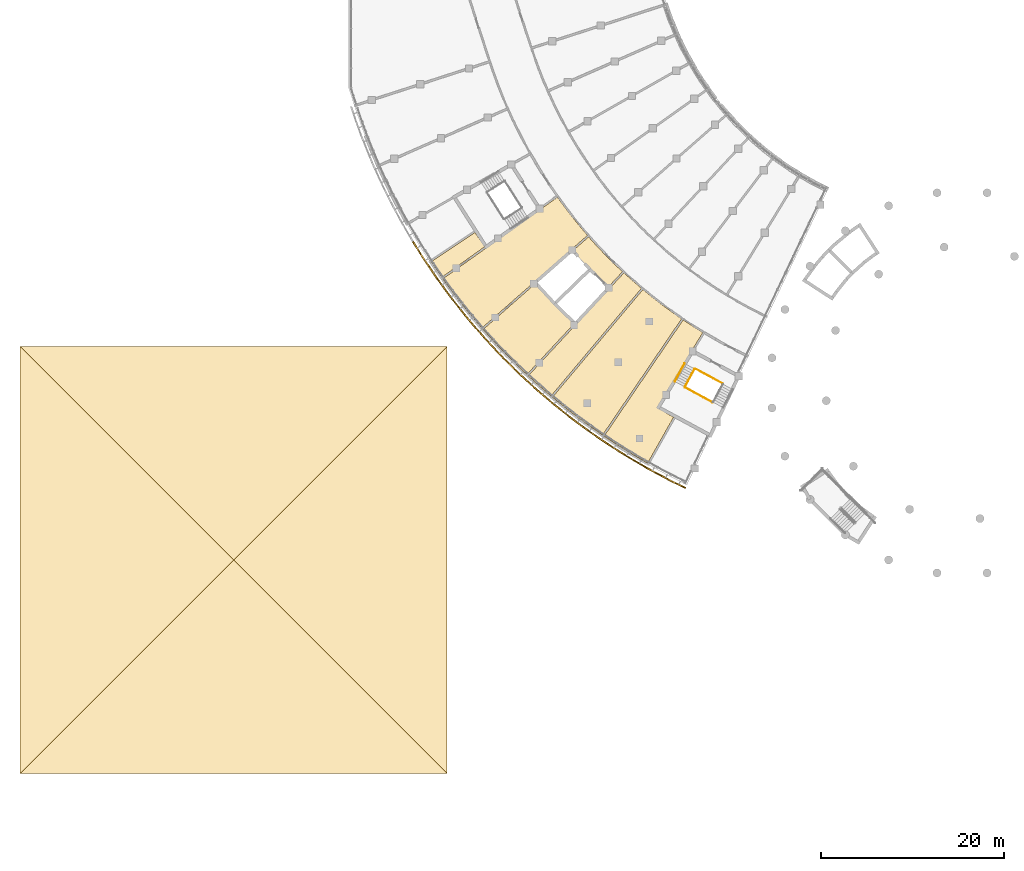
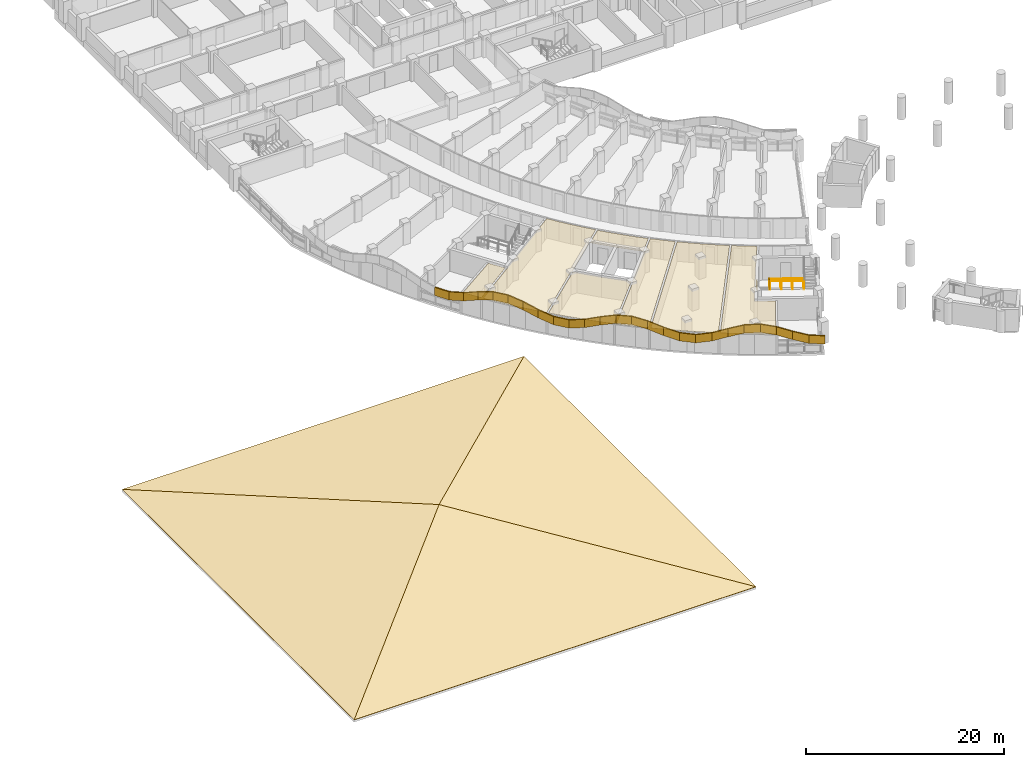
# One storey, part 77 of 89: 36 coverings, 4 railings.
"""IFC4 building model written with IfcOpenShell, lengths in metres."""

from ifc_helpers import new_model, si_unit, direction, frame, origin, origin_2d, place, context, subcontext, project, spatial, polyline, circle, outline, extrude, material, layer, layer_set, type_object, element, save


model = new_model("IFC4")

# Units and contexts
model_context = context("Model", 3, precision=1e-05, world=origin(), true_north=direction((0.0, 1.0)))
body_context = subcontext(model_context, "Body", "Model", "MODEL_VIEW")
ifc_project = project(units=[si_unit("LENGTHUNIT", "METRE"), si_unit("AREAUNIT", "SQUARE_METRE"), si_unit("VOLUMEUNIT", "CUBIC_METRE"), si_unit("PLANEANGLEUNIT", "RADIAN"), si_unit("MASSUNIT", "GRAM", prefix="KILO")], contexts=[model_context])

# Site, building, storey
site_placement = place(None, origin())
site = spatial("IfcSite", under=ifc_project, at=site_placement, CompositionType="ELEMENT")
building_placement = place(site_placement, origin())
building = spatial("IfcBuilding", under=site, at=building_placement, Name="Bougainvillea Quay General Hospital", CompositionType="ELEMENT")
storey_placement = place(building_placement, frame((0.0, 0.0, 9.89990234375)))
storey = spatial("IfcBuildingStorey", under=building, at=storey_placement, Name="L01M", CompositionType="ELEMENT", Elevation=9.89990234375)

# Coverings
ifc_material_1 = material(Name="Powder-coated aluminium fascia, green", Category="aluminium")
ifc_layer_1 = layer(ifc_material_1, 0.14990234375)
ifc_layer_set_1 = layer_set([ifc_layer_1], Name="Powder-coated aluminium fascia, green")
covering_type_1 = type_object("IfcCoveringType", Name="Aluminium wave fascia ribbon green 150x1000", PredefinedType="CLADDING", material=ifc_layer_set_1)
covering_1_placement = place(storey_placement, frame((49.122314453125, 89.492919921875, 1.472900390625), z_axis=(0.00815547749, -0.01307385776, 0.999881274167), x_axis=(0.529114591559, -0.848410461647, -0.015409009286)))
element("IfcCovering", 1, at=covering_1_placement, inside=storey, type_object=covering_type_1, Name="Fascia ribbon green a01 11", PredefinedType="CLADDING", context=body_context, shape_type="SweptSolid", body=[
    extrude(outline(polyline([(0.0, 0.0), (1.6301743762609855, 2.5740357179168845e-16), (1.6319496738609345, -0.14986279714054315), (-0.0017437068610463846, -0.14996972102507355), (0.0, 0.0)])), origin(), (-0.015409009286, -1.623513e-06, 0.999881274167), 1.0),
])
covering_2_placement = place(storey_placement, frame((49.98486328125, 88.10986328125, 1.44775390625), z_axis=(-0.132547565526, 0.201967878035, 0.970381429704), x_axis=(0.532488553234, -0.81123120018, 0.241577897435)))
element("IfcCovering", 2, at=covering_2_placement, inside=storey, type_object=covering_type_1, Name="Fascia ribbon green a01 12", PredefinedType="CLADDING", context=body_context, shape_type="SweptSolid", body=[
    extrude(outline(polyline([(0.0, 0.0), (1.6799498686252692, -9.514551689918105e-17), (1.6816404734615915, -0.15004254984975574), (-0.0017140216455301157, -0.14986361287609), (0.0, 0.0)])), origin(), (0.241577897435, -1.8862512e-05, 0.970381429704), 1.0),
])
covering_3_placement = place(storey_placement, frame((50.87939453125, 86.7470703125, 1.854248046875), z_axis=(-0.197767098158, 0.285800062004, 0.937660119363), x_axis=(0.532498114492, -0.771785239678, 0.347553307965)))
element("IfcCovering", 3, at=covering_3_placement, inside=storey, type_object=covering_type_1, Name="Fascia ribbon green a01 13", PredefinedType="CLADDING", context=body_context, shape_type="SweptSolid", body=[
    extrude(outline(polyline([(0.0, 0.0), (1.7385642003511037, 1.2576745200831851e-16), (1.740173826324506, -0.14995890126413705), (-0.0019273342541905644, -0.1500413835001085), (0.0, 0.0)])), origin(), (0.347553307965, 0.000445733114, 0.937660119363), 1.0),
])
covering_4_placement = place(storey_placement, frame((51.80517578125, 85.4052734375, 2.458984375), z_axis=(-0.157947257259, 0.218274334684, 0.963020757171), x_axis=(0.565134320629, -0.77976420508, 0.26942714066)))
element("IfcCovering", 4, at=covering_4_placement, inside=storey, type_object=covering_type_1, Name="Fascia ribbon green a01 14", PredefinedType="CLADDING", context=body_context, shape_type="SweptSolid", body=[
    extrude(outline(polyline([(0.0, 0.0), (1.692600454012714, 1.1237755517812253e-16), (1.6943878888932409, -0.14989426962991026), (-0.002001893222317903, -0.1499541759270714), (0.0, 0.0)])), origin(), (0.26942714066, -0.000192700341, 0.963020757171), 1.0),
])
covering_5_placement = place(storey_placement, frame((52.76171875, 84.08544921875, 2.915283203125), z_axis=(-0.017114412101, 0.022497170746, 0.999600407266), x_axis=(0.605327282001, -0.795474610462, 0.028267044002)))
element("IfcCovering", 5, at=covering_5_placement, inside=storey, type_object=covering_type_1, Name="Fascia ribbon green a01 15", PredefinedType="CLADDING", context=body_context, shape_type="SweptSolid", body=[
    extrude(outline(polyline([(0.0, 0.0), (1.6306243354071506, 7.36914428946505e-17), (1.6323591183623014, -0.15011342609025094), (-0.001777988915343448, -0.14989358022290222), (0.0, 0.0)])), origin(), (0.028267044002, -4.070921e-06, 0.999600407266), 1.0),
])
covering_6_placement = place(storey_placement, frame((53.748779296875, 82.788330078125, 2.961181640625), z_axis=(0.145129059894, -0.181837062005, 0.972559941009), x_axis=(0.606647051964, -0.760165898555, -0.232652446834)))
element("IfcCovering", 6, at=covering_6_placement, inside=storey, type_object=covering_type_1, Name="Fascia ribbon green a01 16", PredefinedType="CLADDING", context=body_context, shape_type="SweptSolid", body=[
    extrude(outline(polyline([(0.0, 0.0), (1.6761564339797765, -2.794564980899278e-16), (1.677964501044428, -0.1500712520067623), (-0.0017935584575933345, -0.1501135207705786), (0.0, 0.0)])), origin(), (-0.232652446834, -1.1244617e-05, 0.972559941009), 1.0),
])
covering_7_placement = place(storey_placement, frame((54.765625, 81.51416015625, 2.57080078125), z_axis=(0.221721277471, -0.266524293891, 0.93797893147), x_axis=(0.601929351757, -0.719365273462, -0.346691013484)))
element("IfcCovering", 7, at=covering_7_placement, inside=storey, type_object=covering_type_1, Name="Fascia ribbon green a01 17", PredefinedType="CLADDING", context=body_context, shape_type="SweptSolid", body=[
    extrude(outline(polyline([(0.0, 0.0), (1.7379810202527743, -7.665309359472516e-17), (1.7396816574308276, -0.14995292824626005), (-0.0018014311734729671, -0.15007134869228503), (0.0, 0.0)])), origin(), (-0.346691013484, 0.000930208049, 0.93797893147), 1.0),
])
covering_8_placement = place(storey_placement, frame((55.811767578125, 80.263916015625, 1.967529296875), z_axis=(0.182440653768, -0.20811748652, 0.960938353724), x_axis=(0.633627712586, -0.722439233398, -0.276762490036)))
element("IfcCovering", 8, at=covering_8_placement, inside=storey, type_object=covering_type_1, Name="Fascia ribbon green a01 18", PredefinedType="CLADDING", context=body_context, shape_type="SweptSolid", body=[
    extrude(outline(polyline([(0.0, 0.0), (1.696134270401693, -1.9629480332850058e-16), (1.6980649796924165, -0.15004450683526965), (-0.002003030427727752, -0.1499481887500411), (0.0, 0.0)])), origin(), (-0.276762490036, 6.6720884e-05, 0.960938353724), 1.0),
])
covering_9_placement = place(storey_placement, frame((56.886474609375, 79.03857421875, 1.497802734375), z_axis=(0.027820736561, -0.030261738687, 0.999154759679), x_axis=(0.676027067175, -0.735729324108, -0.041106764589)))
element("IfcCovering", 9, at=covering_9_placement, inside=storey, type_object=covering_type_1, Name="Fascia ribbon green a01 19", PredefinedType="CLADDING", context=body_context, shape_type="SweptSolid", body=[
    extrude(outline(polyline([(0.0, 0.0), (1.6316347012684531, 2.0818375777616194e-17), (1.6333148573609892, -0.1500814778317575), (-0.0016014691139213666, -0.15004758377428504), (0.0, 0.0)])), origin(), (-0.041106764589, -1.0777254e-05, 0.999154759679), 1.0),
])
covering_10_placement = place(storey_placement, frame((57.989501953125, 77.838134765625, 1.430908203125), z_axis=(-0.15557449458, 0.16045052284, 0.974706215409), x_axis=(0.675956810629, -0.702235875164, 0.223488625654)))
element("IfcCovering", 10, at=covering_10_placement, inside=storey, type_object=covering_type_1, Name="Fascia ribbon green a01 20", PredefinedType="CLADDING", context=body_context, shape_type="SweptSolid", body=[
    extrude(outline(polyline([(0.0, 0.0), (1.6722645699775622, -2.6877371855915655e-16), (1.6741005816085934, -0.15018367761236018), (-0.0018638488694712456, -0.15008011064758425), (0.0, 0.0)])), origin(), (0.223488625654, 0.000792367672, 0.974706215409), 1.0),
])
covering_11_placement = place(storey_placement, frame((59.119873046875, 76.663818359375, 1.80517578125), z_axis=(-0.246032648897, 0.24270315928, 0.938383243751), x_axis=(0.666202530841, -0.660861647714, 0.345595240827)))
element("IfcCovering", 11, at=covering_11_placement, inside=storey, type_object=covering_type_1, Name="Fascia ribbon green a01 21", PredefinedType="CLADDING", context=body_context, shape_type="SweptSolid", body=[
    extrude(outline(polyline([(0.0, 0.0), (1.7370581447581601, 1.4203048459560108e-16), (1.738928920259663, -0.14985447683226336), (-0.0017923003951787913, -0.15018579896649129), (0.0, 0.0)])), origin(), (0.345595240827, 0.000904082785, 0.938383243751), 1.0),
])
covering_12_placement = place(storey_placement, frame((60.277099609375, 75.515869140625, 2.406005859375), z_axis=(-0.205998610653, 0.195144423768, 0.9588968799), x_axis=(0.69631372479, -0.659265066899, 0.283754767775)))
element("IfcCovering", 12, at=covering_12_placement, inside=storey, type_object=covering_type_1, Name="Fascia ribbon green a01 22", PredefinedType="CLADDING", context=body_context, shape_type="SweptSolid", body=[
    extrude(outline(polyline([(0.0, 0.0), (1.7001490709877485, 9.383769802862041e-17), (1.7018182403590574, -0.15011814875068527), (-0.0017474549605283908, -0.14985596752883842), (0.0, 0.0)])), origin(), (0.283754767775, -7.4052753e-05, 0.9588968799), 1.0),
])
covering_13_placement = place(storey_placement, frame((61.4609375, 74.39501953125, 2.888671875), z_axis=(-0.039377492276, 0.036756288988, 0.998548140213), x_axis=(0.740778265598, -0.669586956192, 0.053859718856)))
element("IfcCovering", 13, at=covering_13_placement, inside=storey, type_object=covering_type_1, Name="Fascia ribbon green a01 23", PredefinedType="CLADDING", context=body_context, shape_type="SweptSolid", body=[
    extrude(outline(polyline([(0.0, 0.0), (1.632374280069902, -1.9863939052650048e-16), (1.6339775773035314, -0.14994425917471882), (-0.0018705072698276953, -0.15011497822737926), (0.0, 0.0)])), origin(), (0.053859718856, -0.000861604811, 0.998548140213), 1.0),
])
covering_14_placement = place(storey_placement, frame((62.670166015625, 73.302001953125, 2.9765625), z_axis=(0.161484478847, -0.140482646959, 0.976825157843), x_axis=(0.739757600838, -0.637923902986, -0.214036880004)))
element("IfcCovering", 14, at=covering_14_placement, inside=storey, type_object=covering_type_1, Name="Fascia ribbon green a01 24", PredefinedType="CLADDING", context=body_context, shape_type="SweptSolid", body=[
    extrude(outline(polyline([(0.0, 0.0), (1.668627588452296, 1.1319070680748666e-16), (1.6704118409502968, -0.15003560221222853), (-0.0019165979119329622, -0.1499405814233167), (0.0, 0.0)])), origin(), (-0.214036880004, 0.000908296856, 0.976825157843), 1.0),
])
covering_15_placement = place(storey_placement, frame((63.904541015625, 72.237548828125, 2.618896484375), z_axis=(0.265624222509, -0.21860117785, 0.938966078971), x_axis=(0.725031392376, -0.596646275116, -0.34400974181)))
element("IfcCovering", 15, at=covering_15_placement, inside=storey, type_object=covering_type_1, Name="Fascia ribbon green a01 25", PredefinedType="CLADDING", context=body_context, shape_type="SweptSolid", body=[
    extrude(outline(polyline([(0.0, 0.0), (1.736152302947449, -1.5716865742892994e-16), (1.7380293803256333, -0.15002550628547007), (-0.0018849392827130873, -0.15003533980977463), (0.0, 0.0)])), origin(), (-0.34400974181, 9.013411e-06, 0.938966078971), 1.0),
])
covering_16_placement = place(storey_placement, frame((65.163330078125, 71.20166015625, 2.02099609375), z_axis=(0.228960661468, -0.178670065494, 0.956898125819), x_axis=(0.752744960029, -0.590787311577, -0.290422756737)))
element("IfcCovering", 16, at=covering_16_placement, inside=storey, type_object=covering_type_1, Name="Fascia ribbon green a01 26", PredefinedType="CLADDING", context=body_context, shape_type="SweptSolid", body=[
    extrude(outline(polyline([(0.0, 0.0), (1.703378499399734, 1.2869479787402938e-16), (1.7052145336186015, -0.1497530317402609), (-0.0018776747158609237, -0.15002550800444078), (0.0, 0.0)])), origin(), (-0.290422756737, -0.000774062337, 0.956898125819), 1.0),
])
covering_17_placement = place(storey_placement, frame((66.445556640625, 70.1953125, 1.52587890625), z_axis=(0.053201429005, -0.039779298391, 0.997791168217), x_axis=(0.799039168413, -0.597598211824, -0.066428793206)))
element("IfcCovering", 17, at=covering_17_placement, inside=storey, type_object=covering_type_1, Name="Fascia ribbon green a01 27", PredefinedType="CLADDING", context=body_context, shape_type="SweptSolid", body=[
    extrude(outline(polyline([(0.0, 0.0), (1.6337285319265937, 9.644655950616365e-17), (1.6354919506014318, -0.14990483920137174), (-0.0017279564094805256, -0.14975368405732117), (0.0, 0.0)])), origin(), (-0.066428793206, -7.861333e-06, 0.997791168217), 1.0),
])
covering_18_placement = place(storey_placement, frame((67.7509765625, 69.218994140625, 1.41748046875), z_axis=(-0.166377894821, 0.118342718394, 0.978934827819), x_axis=(0.797373981156, -0.567898006903, 0.204172936336)))
element("IfcCovering", 18, at=covering_18_placement, inside=storey, type_object=covering_type_1, Name="Fascia ribbon green a01 28", PredefinedType="CLADDING", context=body_context, shape_type="SweptSolid", body=[
    extrude(outline(polyline([(0.0, 0.0), (1.6650394508237725, -1.8748566067705585e-16), (1.6669710360332002, -0.149995179750946), (-0.0017519879616326645, -0.14990496772389356), (0.0, 0.0)])), origin(), (0.204172936336, 0.000122270355, 0.978934827819), 1.0),
])
covering_19_placement = place(storey_placement, frame((69.07861328125, 68.2734375, 1.758056640625), z_axis=(-0.283259470314, 0.191714906725, 0.939685834211), x_axis=(0.777793722425, -0.527301103798, 0.342038698527)))
element("IfcCovering", 19, at=covering_19_placement, inside=storey, type_object=covering_type_1, Name="Fascia ribbon green a01 29", PredefinedType="CLADDING", context=body_context, shape_type="SweptSolid", body=[
    extrude(outline(polyline([(0.0, 0.0), (1.7348186467757258, 5.800481622797449e-18), (1.7367374725672475, -0.15010916071606742), (-0.0017008939272816312, -0.14999957452889795), (0.0, 0.0)])), origin(), (0.342038698527, 0.000248380412, 0.939685834211), 1.0),
])
covering_20_placement = place(storey_placement, frame((70.427978515625, 67.358642578125, 2.35205078125), z_axis=(-0.249400286046, 0.160794376096, 0.954957939354), x_axis=(0.802620247971, -0.517441207801, 0.296741190294)))
element("IfcCovering", 20, at=covering_20_placement, inside=storey, type_object=covering_type_1, Name="Fascia ribbon green a01 30", PredefinedType="CLADDING", context=body_context, shape_type="SweptSolid", body=[
    extrude(outline(polyline([(0.0, 0.0), (1.7070666726794232, -1.9617283058409596e-17), (1.70882597183729, -0.14995900428280787), (-0.0017662126076190875, -0.15011008535976794), (0.0, 0.0)])), origin(), (0.296741190294, -6.836777e-06, 0.954957939354), 1.0),
])
covering_21_placement = place(storey_placement, frame((71.798095703125, 66.475341796875, 2.85888671875), z_axis=(-0.066921276641, 0.041946885234, 0.996876121467), x_axis=(0.850195532045, -0.520509603711, 0.07897664044)))
element("IfcCovering", 21, at=covering_21_placement, inside=storey, type_object=covering_type_1, Name="Fascia ribbon green a01 31", PredefinedType="CLADDING", context=body_context, shape_type="SweptSolid", body=[
    extrude(outline(polyline([(0.0, 0.0), (1.6350801955063554, -3.508749280706214e-17), (1.6368127284178622, -0.1500938033425362), (-0.0017941760373868104, -0.14995779953497645), (0.0, 0.0)])), origin(), (0.07897664044, -0.000829887225, 0.996876121467), 1.0),
])
covering_22_placement = place(storey_placement, frame((73.188232421875, 65.624267578125, 2.988037109375), z_axis=(0.167808731037, -0.097401681138, 0.980995995047), x_axis=(0.848230981449, -0.492805590966, -0.194027966086)))
element("IfcCovering", 22, at=covering_22_placement, inside=storey, type_object=covering_type_1, Name="Fascia ribbon green a01 32", PredefinedType="CLADDING", context=body_context, shape_type="SweptSolid", body=[
    extrude(outline(polyline([(0.0, 0.0), (1.6616255740239472, 3.661215211211988e-17), (1.6635003940276922, -0.14997684495214847), (-0.0017542566143617575, -0.1500935116837098), (0.0, 0.0)])), origin(), (-0.194027966086, -7.7957281e-05, 0.980995995047), 1.0),
])
covering_23_placement = place(storey_placement, frame((74.59765625, 64.805419921875, 2.6650390625), z_axis=(0.298152929624, -0.163165488274, 0.940468954295), x_axis=(0.823964879725, -0.453391966068, -0.339878804995)))
element("IfcCovering", 23, at=covering_23_placement, inside=storey, type_object=covering_type_1, Name="Fascia ribbon green a01 33", PredefinedType="CLADDING", context=body_context, shape_type="SweptSolid", body=[
    extrude(outline(polyline([(0.0, 0.0), (1.733347373441609, -1.7780915628762273e-17), (1.735060018981711, -0.1498506009711535), (-0.0017803535756410202, -0.14997962508402907), (0.0, 0.0)])), origin(), (-0.339878804995, -0.00073751103, 0.940468954295), 1.0),
])
covering_24_placement = place(storey_placement, frame((76.02587890625, 64.01953125, 2.075439453125), z_axis=(0.268412368152, -0.139998370166, 0.953076731945), x_axis=(0.845466499012, -0.439933784301, -0.302728697811)))
element("IfcCovering", 24, at=covering_24_placement, inside=storey, type_object=covering_type_1, Name="Fascia ribbon green a01 34", PredefinedType="CLADDING", context=body_context, shape_type="SweptSolid", body=[
    extrude(outline(polyline([(0.0, 0.0), (1.7103665929988192, -4.5455176081454773e-17), (1.7119900022925665, -0.15001199725929298), (-0.0019010167974392483, -0.14984832320136007), (0.0, 0.0)])), origin(), (-0.302728697811, 0.000280263017, 0.953076731945), 1.0),
])
covering_25_placement = place(storey_placement, frame((77.471923828125, 63.26708984375, 1.557373046875), z_axis=(0.082471359088, -0.040292081472, 0.995778601448), x_axis=(0.893738428519, -0.439097580787, -0.091787449776)))
element("IfcCovering", 25, at=covering_25_placement, inside=storey, type_object=covering_type_1, Name="Fascia ribbon green a01 35", PredefinedType="CLADDING", context=body_context, shape_type="SweptSolid", body=[
    extrude(outline(polyline([(0.0, 0.0), (1.6335405246716261, 3.048640983757678e-17), (1.633476963364225, -0.14991147092736154), (-0.001934960035859669, -0.15000770922188203), (0.0, 0.0)])), origin(), (-0.091787449776, -0.000202392683, 0.995778601448), 1.0),
])

# Railings
ifc_material_2 = material(Name="Stainless steel 304 balustrade", Category="steel")
railing_type_1 = type_object("IfcRailingType", Name="Stair guard 1100", PredefinedType="GUARDRAIL", material=ifc_material_2)
railing_1_placement = place(storey_placement, frame((79.900634765625, 75.52734375, 0.150146484375)))
element("IfcRailing", 26, at=railing_1_placement, inside=storey, type_object=railing_type_1, Name="L01M ST-W1 stair guard 1", PredefinedType="GUARDRAIL", context=body_context, shape_type="SweptSolid", body=[
    extrude(circle(Radius=0.02392578125, at=origin_2d()), frame((0.0, 0.0, 1.076171875), z_axis=(-0.419371731451, -0.775333304194, 0.472213530373), x_axis=(0.879577093655, -0.475756383371, 0.0)), (0.0, 0.0, 1.0), 2.541015625),
    extrude(circle(Radius=0.02099609375, at=origin_2d()), origin(), (0.0, 0.0, 1.0), 1.052001953125),
    extrude(circle(Radius=0.02099609375, at=origin_2d()), frame((-0.355224609375, -0.65673828125, 0.39990234375)), (0.0, 0.0, 1.0), 1.052001953125),
    extrude(circle(Radius=0.02099609375, at=origin_2d()), frame((-0.71044921875, -1.3134765625, 0.800048828125)), (0.0, 0.0, 1.0), 1.052001953125),
    extrude(circle(Radius=0.02099609375, at=origin_2d()), frame((-1.065673828125, -1.97021484375, 1.199951171875)), (0.0, 0.0, 1.0), 1.052001953125),
])
railing_2_placement = place(storey_placement, frame((78.85498046875, 73.4892578125, 1.35009765625)))
element("IfcRailing", 27, at=railing_2_placement, inside=storey, type_object=railing_type_1, Name="L01M ST-W1 stair guard 2", PredefinedType="GUARDRAIL", context=body_context, shape_type="SweptSolid", body=[
    extrude(circle(Radius=0.02392578125, at=origin_2d()), frame((0.0, 0.0, 1.076171875), z_axis=(0.879596792636, -0.475719962146, 0.0), x_axis=(0.475719962146, 0.879596792636, 0.0)), (0.0, 0.0, 1.0), 3.422119140625),
    extrude(circle(Radius=0.02099609375, at=origin_2d()), origin(), (0.0, 0.0, 1.0), 1.052001953125),
    extrude(circle(Radius=0.02099609375, at=origin_2d()), frame((1.00341796875, -0.542724609375, 0.0)), (0.0, 0.0, 1.0), 1.052001953125),
    extrude(circle(Radius=0.02099609375, at=origin_2d()), frame((2.006591796875, -1.085205078125, 0.0)), (0.0, 0.0, 1.0), 1.052001953125),
    extrude(circle(Radius=0.02099609375, at=origin_2d()), frame((3.010009765625, -1.6279296875, 0.0)), (0.0, 0.0, 1.0), 1.052001953125),
])
railing_3_placement = place(storey_placement, frame((79.96826171875, 75.547607421875, 0.0)))
element("IfcRailing", 28, at=railing_3_placement, inside=storey, type_object=railing_type_1, Name="L01M ST-W1 stair guard 4", PredefinedType="GUARDRAIL", context=body_context, shape_type="SweptSolid", body=[
    extrude(circle(Radius=0.02392578125, at=origin_2d()), frame((0.0, 0.0, 1.076171875), z_axis=(0.879580645355, -0.475749816939, 0.0), x_axis=(0.475749816939, 0.879580645355, 0.0)), (0.0, 0.0, 1.0), 3.421875),
    extrude(circle(Radius=0.02099609375, at=origin_2d()), origin(), (0.0, 0.0, 1.0), 1.052001953125),
    extrude(circle(Radius=0.02099609375, at=origin_2d()), frame((1.003173828125, -0.542724609375, 0.0)), (0.0, 0.0, 1.0), 1.052001953125),
    extrude(circle(Radius=0.02099609375, at=origin_2d()), frame((2.006591796875, -1.085205078125, 0.0)), (0.0, 0.0, 1.0), 1.052001953125),
    extrude(circle(Radius=0.02099609375, at=origin_2d()), frame((3.009765625, -1.6279296875, 0.0)), (0.0, 0.0, 1.0), 1.052001953125),
])
ifc_material_3 = material(Name="Stainless steel 304 handrail", Category="steel")
railing_type_2 = type_object("IfcRailingType", Name="Stair handrail 900", PredefinedType="HANDRAIL", material=ifc_material_3)
railing_4_placement = place(storey_placement, frame((78.801025390625, 76.1220703125, 0.150146484375)))
element("IfcRailing", 29, at=railing_4_placement, inside=storey, type_object=railing_type_2, Name="L01M ST-W1 stair handrail 1", PredefinedType="HANDRAIL", context=body_context, shape_type="SweptSolid", body=[
    extrude(circle(Radius=0.02392578125, at=origin_2d()), frame((0.0, 0.0, 0.8759765625), z_axis=(-0.419340493619, -0.775371620619, 0.472178356504), x_axis=(0.879601760134, -0.475710777225, 0.0)), (0.0, 0.0, 1.0), 2.541259765625),
    extrude(circle(Radius=0.02099609375, at=origin_2d()), origin(), (0.0, 0.0, 1.0), 0.851806640625),
    extrude(circle(Radius=0.02099609375, at=origin_2d()), frame((-0.355224609375, -0.65673828125, 0.39990234375)), (0.0, 0.0, 1.0), 0.851806640625),
    extrude(circle(Radius=0.02099609375, at=origin_2d()), frame((-0.71044921875, -1.313720703125, 0.800048828125)), (0.0, 0.0, 1.0), 0.851806640625),
    extrude(circle(Radius=0.02099609375, at=origin_2d()), frame((-1.065673828125, -1.970458984375, 1.199951171875)), (0.0, 0.0, 1.0), 0.851806640625),
])

# Coverings
ifc_material_4 = material(Name="Standing seam zinc-titanium roofing, grey")
ifc_layer_2 = layer(ifc_material_4, 0.0400390625)
ifc_layer_set_2 = layer_set([ifc_layer_2], Name="Standing seam zinc-titanium roofing, grey")
covering_type_2 = type_object("IfcCoveringType", Name="Standing seam metal roofing HR 40", PredefinedType="ROOFING", material=ifc_layer_set_2)
covering_26_placement = place(storey_placement, frame((6.0, 31.199951171875, -0.423095703125), z_axis=(0.0, -0.173644070901, 0.984808477137), x_axis=(1.0, 0.0, 0.0)))
element("IfcCovering", 30, at=covering_26_placement, inside=storey, type_object=covering_type_2, Name="Roof covering HR01", PredefinedType="ROOFING", context=body_context, shape_type="SweptSolid", body=[
    extrude(outline(polyline([(0.0, 0.0), (46.800048828125, 0.0), (23.39990234375, 23.761113990815055), (0.0, 0.0)])), origin(), (0.0, -0.173644070901, -0.984808477137), 0.0400390625),
])
covering_27_placement = place(storey_placement, frame((52.800048828125, 31.199951171875, -0.423095703125), z_axis=(0.173644070901, 0.0, 0.984808477137), x_axis=(0.0, 1.0, 0.0)))
element("IfcCovering", 31, at=covering_27_placement, inside=storey, type_object=covering_type_2, Name="Roof covering HR02", PredefinedType="ROOFING", context=body_context, shape_type="SweptSolid", body=[
    extrude(outline(polyline([(0.0, 0.0), (46.800048828125, 0.0), (23.400146484375, 23.761113990815055), (0.0, 0.0)])), origin(), (0.0, -0.173644070901, -0.984808477137), 0.0400390625),
])
covering_28_placement = place(storey_placement, frame((52.800048828125, 78.0, -0.423095703125), z_axis=(0.0, 0.173645827972, 0.984808167324), x_axis=(-1.0, 0.0, 0.0)))
element("IfcCovering", 32, at=covering_28_placement, inside=storey, type_object=covering_type_2, Name="Roof covering HR03", PredefinedType="ROOFING", context=body_context, shape_type="SweptSolid", body=[
    extrude(outline(polyline([(0.0, 0.0), (46.800048828125, 0.0), (23.400146484375, 23.76087355909576), (0.0, 0.0)])), origin(), (0.0, -0.173645827972, -0.984808167324), 0.0400390625),
])
covering_29_placement = place(storey_placement, frame((6.0, 78.0, -0.423095703125), z_axis=(-0.173645827972, 0.0, 0.984808167324), x_axis=(0.0, -1.0, 0.0)))
element("IfcCovering", 33, at=covering_29_placement, inside=storey, type_object=covering_type_2, Name="Roof covering HR04", PredefinedType="ROOFING", context=body_context, shape_type="SweptSolid", body=[
    extrude(outline(polyline([(0.0, 0.0), (46.800048828125, 0.0), (23.39990234375, 23.76087355909576), (0.0, 0.0)])), origin(), (0.0, -0.173645827972, -0.984808167324), 0.0400390625),
])
ifc_material_5 = material(Name="Mineral fibre ceiling tile")
ifc_layer_3 = layer(ifc_material_5, 0.030029296875)
ifc_layer_set_3 = layer_set([ifc_layer_3], Name="Mineral fibre ceiling tile")
covering_type_3 = type_object("IfcCoveringType", Name="Suspended ceiling mineral fibre tile", PredefinedType="CEILING", material=ifc_layer_set_3)
covering_30_placement = place(storey_placement, frame((0.0, 0.0, 2.3701171875)))
element("IfcCovering", 34, at=covering_30_placement, inside=storey, type_object=covering_type_3, Name="Ceiling Lift Lobby LB-W1", PredefinedType="CEILING", context=body_context, shape_type="SweptSolid", body=[
    extrude(outline(polyline([(70.4365234375, 84.485107421875), (72.00341796875, 86.168701171875), (71.1474609375, 86.9853515625), (71.145751953125, 86.983642578125), (71.075927734375, 87.053466796875), (71.004638671875, 87.12158203125), (71.00634765625, 87.12353515625), (70.169921875, 87.96337890625), (70.16796875, 87.961669921875), (70.100341796875, 88.033447265625), (70.030517578125, 88.103271484375), (70.032470703125, 88.10498046875), (69.218505859375, 88.96533203125), (69.216552734375, 88.9638671875), (69.150390625, 89.037109375), (69.08251953125, 89.10888671875), (69.08447265625, 89.110595703125), (68.292724609375, 89.98974609375), (66.56396484375, 88.4736328125), (67.4599609375, 87.47705078125), (68.449951171875, 86.430908203125), (69.467041015625, 85.409912109375), (70.4365234375, 84.485107421875)])), origin(), (0.0, 0.0, 1.0), 0.030029296875),
])
covering_31_placement = place(storey_placement, frame((0.0, 0.0, 2.3701171875)))
element("IfcCovering", 35, at=covering_31_placement, inside=storey, type_object=covering_type_3, Name="Ceiling Air Handling Plant", PredefinedType="CEILING", context=body_context, shape_type="SweptSolid", body=[
    extrude(outline(polyline([(71.482177734375, 67.151123046875), (72.963623046875, 66.2275390625), (74.750732421875, 65.185546875), (77.601318359375, 70.233642578125), (77.37255859375, 70.361328125), (77.37109375, 70.359130859375), (77.2861328125, 70.4091796875), (77.199951171875, 70.457275390625), (77.201171875, 70.45947265625), (75.97314453125, 71.185546875), (75.972412109375, 71.1845703125), (75.802001953125, 71.286865234375), (75.801513671875, 71.28857421875), (75.90380859375, 71.458984375), (75.90478515625, 71.458251953125), (79.59521484375, 77.5244140625), (79.645751953125, 77.60986328125), (79.64697265625, 77.609375), (80.80419921875, 79.511962890625), (79.78125, 80.152587890625), (79.7802734375, 80.151123046875), (79.655517578125, 80.231201171875), (79.656494140625, 80.23291015625), (78.649169921875, 80.89892578125), (69.9775390625, 68.1474609375), (71.482177734375, 67.151123046875)])), origin(), (0.0, 0.0, 1.0), 0.030029296875),
])
covering_32_placement = place(storey_placement, frame((0.0, 0.0, 2.3701171875)))
element("IfcCovering", 36, at=covering_32_placement, inside=storey, type_object=covering_type_3, Name="Ceiling Air Handling Plant", PredefinedType="CEILING", context=body_context, shape_type="SweptSolid", body=[
    extrude(outline(polyline([(77.37353515625, 81.78857421875), (77.37451171875, 81.7900390625), (76.38134765625, 82.521240234375), (76.380126953125, 82.519775390625), (76.26220703125, 82.609130859375), (76.26318359375, 82.610595703125), (75.289794921875, 83.367919921875), (75.28857421875, 83.366455078125), (75.1728515625, 83.458740234375), (75.173828125, 83.460205078125), (74.2392578125, 84.224365234375), (64.32177734375, 72.417236328125), (65.79931640625, 71.209228515625), (67.18115234375, 70.141845703125), (67.93359375, 69.587158203125), (69.8125, 68.260498046875), (78.48388671875, 81.01123046875), (77.494873046875, 81.70361328125), (77.493896484375, 81.7021484375), (77.37353515625, 81.78857421875)])), origin(), (0.0, 0.0, 1.0), 0.030029296875),
])
covering_33_placement = place(storey_placement, frame((0.0, 0.0, 2.3701171875)))
element("IfcCovering", 37, at=covering_33_placement, inside=storey, type_object=covering_type_3, Name="Ceiling Air Handling Plant", PredefinedType="CEILING", context=body_context, shape_type="SweptSolid", body=[
    extrude(outline(polyline([(66.83056640625, 80.46240234375), (66.904296875, 80.393798828125), (61.663330078125, 74.761962890625), (63.1162109375, 73.446044921875), (64.16845703125, 72.545654296875), (74.0859375, 84.35302734375), (73.17236328125, 85.141357421875), (73.171142578125, 85.14013671875), (73.060302734375, 85.23828125), (73.0615234375, 85.239501953125), (72.1669921875, 86.05078125), (70.582275390625, 84.347900390625), (70.509033203125, 84.416015625), (66.83056640625, 80.46240234375)])), origin(), (0.0, 0.0, 1.0), 0.030029296875),
])
covering_34_placement = place(storey_placement, frame((0.0, 0.0, 2.3701171875)))
element("IfcCovering", 38, at=covering_34_placement, inside=storey, type_object=covering_type_3, Name="Ceiling Interstitial Service Space", PredefinedType="CEILING", context=body_context, shape_type="SweptSolid", body=[
    extrude(outline(polyline([(62.43701171875, 84.987060546875), (62.5029296875, 84.911865234375), (56.71923828125, 79.839599609375), (58.102294921875, 78.30810546875), (59.309326171875, 77.046142578125), (60.548583984375, 75.814697265625), (61.5166015625, 74.89794921875), (66.7578125, 80.530029296875), (66.8310546875, 80.4619140625), (65.68896484375, 81.551025390625), (64.575927734375, 82.6689453125), (63.491943359375, 83.81396484375), (62.43701171875, 84.987060546875)])), origin(), (0.0, 0.0, 1.0), 0.030029296875),
])
covering_35_placement = place(storey_placement, frame((0.0, 0.0, 2.3701171875)))
element("IfcCovering", 39, at=covering_35_placement, inside=storey, type_object=covering_type_3, Name="Ceiling Interstitial Service Space", PredefinedType="CEILING", context=body_context, shape_type="SweptSolid", body=[
    extrude(outline(polyline([(66.4970703125, 88.5478515625), (66.43115234375, 88.623291015625), (68.1796875, 90.156494140625), (67.3955078125, 91.07470703125), (67.39404296875, 91.073486328125), (67.29931640625, 91.187255859375), (67.300537109375, 91.1884765625), (66.52294921875, 92.14599609375), (66.521484375, 92.144775390625), (66.429443359375, 92.260986328125), (66.430908203125, 92.26220703125), (65.67822265625, 93.23828125), (65.6767578125, 93.2373046875), (65.587890625, 93.355712890625), (65.58935546875, 93.356689453125), (64.876953125, 94.331787109375), (52.313232421875, 85.39013671875), (53.09521484375, 84.313720703125), (54.15478515625, 82.924560546875), (55.2490234375, 81.562744140625), (56.58740234375, 79.989990234375), (62.37109375, 85.062255859375), (62.436767578125, 84.987060546875), (66.4970703125, 88.5478515625)])), origin(), (0.0, 0.0, 1.0), 0.030029296875),
])
covering_36_placement = place(storey_placement, frame((0.0, 0.0, 2.3701171875)))
element("IfcCovering", 40, at=covering_36_placement, inside=storey, type_object=covering_type_3, Name="Ceiling Interstitial Service Space", PredefinedType="CEILING", context=body_context, shape_type="SweptSolid", body=[
    extrude(outline(polyline([(56.050048828125, 90.16796875), (55.993896484375, 90.249267578125), (55.995849609375, 90.250732421875), (55.8525390625, 90.46923828125), (51.02392578125, 87.262939453125), (52.19775390625, 85.553466796875), (56.919677734375, 88.913818359375), (56.1064453125, 90.0869140625), (56.104248046875, 90.08544921875), (56.050048828125, 90.16796875)])), origin(), (0.0, 0.0, 1.0), 0.030029296875),
])

save(model, "model.ifc")
